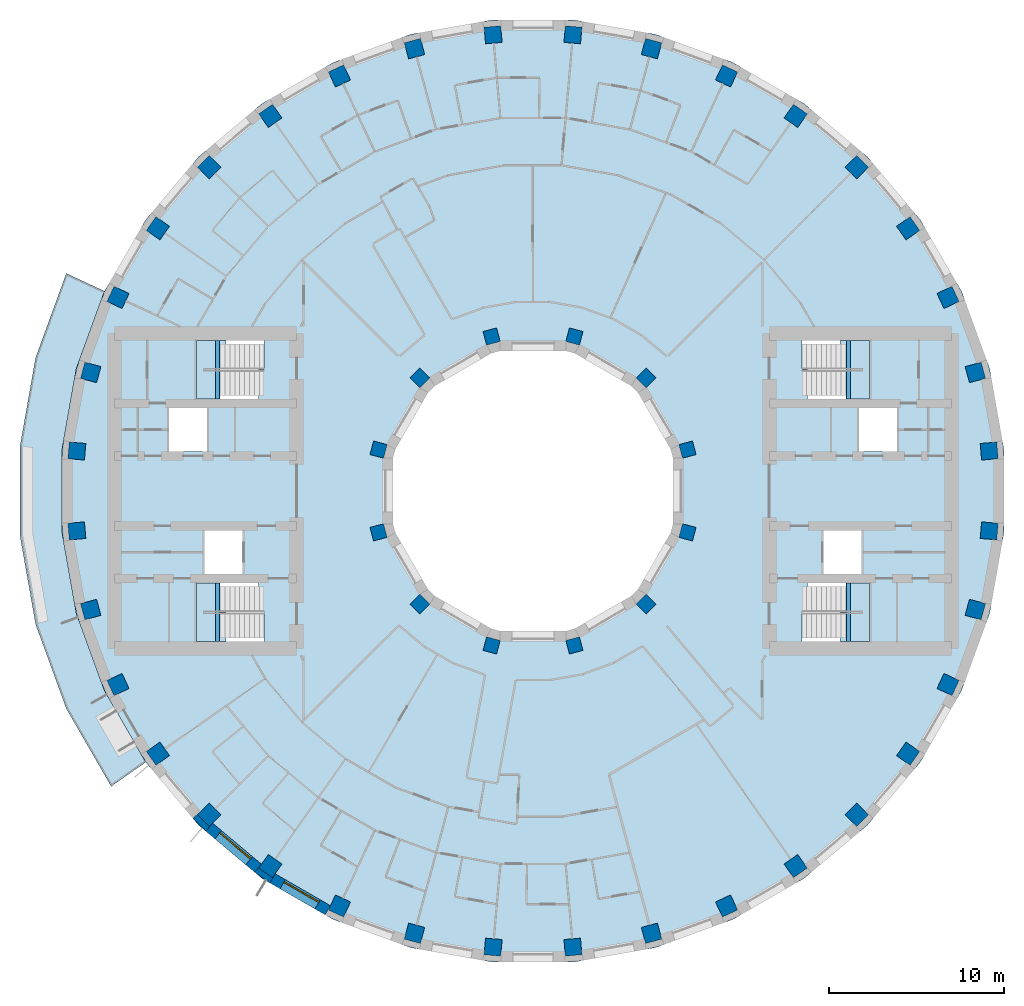
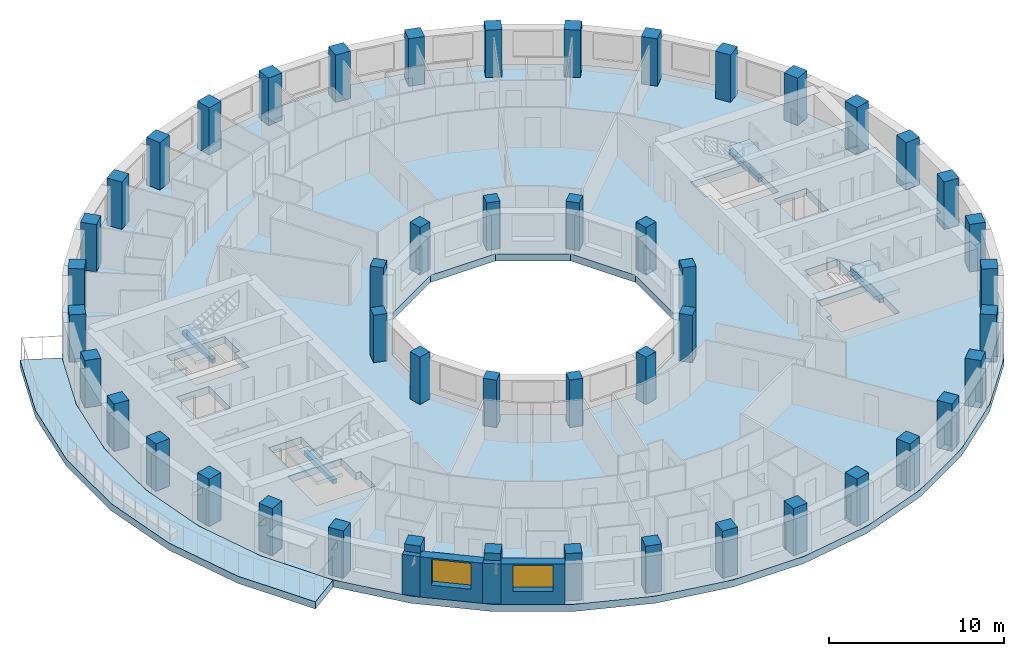
# One storey, part 1 of 13: 48 columns, 6 slabs, 4 beams, 4 walls, 2 windows, 2 openings, 4 elements without a shape of their own.
"""IFC4 building model written with IfcOpenShell, lengths in metres."""

from ifc_helpers import new_model, si_unit, direction, frame, frame_2d, origin, origin_2d, place, context, subcontext, project, spatial, polyline, rectangle, outline, extrude, material, layer, layer_set, material_profile, profile_set, type_object, element, fill, aggregate, save


model = new_model("IFC4")

# Units and contexts
model_context = context("Model", 3, precision=1e-05, world=origin(), true_north=direction((0.0, 1.0)))
body_context = subcontext(model_context, "Body", "Model", "MODEL_VIEW")
ifc_project = project(units=[si_unit("LENGTHUNIT", "METRE"), si_unit("AREAUNIT", "SQUARE_METRE"), si_unit("VOLUMEUNIT", "CUBIC_METRE"), si_unit("PLANEANGLEUNIT", "RADIAN"), si_unit("MASSUNIT", "GRAM", prefix="KILO")], contexts=[model_context])

# Site, building, storey
site_placement = place(None, origin())
site = spatial("IfcSite", under=ifc_project, at=site_placement, CompositionType="ELEMENT")
building_placement = place(site_placement, origin())
building = spatial("IfcBuilding", under=site, at=building_placement, Name="Saqina Gate Tower", CompositionType="ELEMENT")
storey_placement = place(building_placement, frame((0.0, 0.0, 118.300048828125)))
storey = spatial("IfcBuildingStorey", under=building, at=storey_placement, Name="L33", CompositionType="ELEMENT", Elevation=118.300048828125)

# Columns
ifc_material_1 = material(Name="Concrete C70/85", Category="concrete")
ifc_material_profile_1 = material_profile(ifc_material_1, rectangle(XDim=0.800048828125, YDim=0.800048828125, at=origin_2d()), Name="RC 800x800")
ifc_profile_set_1 = profile_set([ifc_material_profile_1], Name="Concrete C70/85")
column_type_1 = type_object("IfcColumnType", Name="STR-COL-IN-B", PredefinedType="COLUMN", material=ifc_profile_set_1)
for number, where, z_axis, x_axis, name in (
    (1, (8.821044921875, 2.363525390625, 0.0), (0.0, 0.0, 1.0), (0.965925826289, 0.258819045103, 0.0), "L33-ICL01"),
    (2, (6.45751953125, 6.45751953125, 0.0), (0.0, 0.0, 1.0), (0.707106781187, 0.707106781187, 0.0), "L33-ICL02"),
    (3, (2.363525390625, 8.821044921875, 0.0), (0.0, 0.0, 1.0), (0.258819045103, 0.965925826289, 0.0), "L33-ICL03"),
    (4, (-2.363525390625, 8.821044921875, 0.0), (0.0, 0.0, 1.0), (-0.258819045103, 0.965925826289, 0.0), "L33-ICL04"),
    (5, (-6.45751953125, 6.45751953125, 0.0), (0.0, 0.0, 1.0), (-0.707106781187, 0.707106781187, 0.0), "L33-ICL05"),
    (6, (-8.821044921875, 2.363525390625, 0.0), (0.0, 0.0, 1.0), (-0.965925826289, 0.258819045103, 0.0), "L33-ICL06"),
    (7, (-8.821044921875, -2.363525390625, 0.0), (0.0, 0.0, 1.0), (-0.965925826289, -0.258819045103, 0.0), "L33-ICL07"),
    (8, (-6.45751953125, -6.45751953125, 0.0), (0.0, 0.0, 1.0), (-0.707106781187, -0.707106781187, 0.0), "L33-ICL08"),
    (9, (-2.363525390625, -8.821044921875, 0.0), (0.0, 0.0, 1.0), (-0.258819045103, -0.965925826289, 0.0), "L33-ICL09"),
    (10, (2.363525390625, -8.821044921875, 0.0), (0.0, 0.0, 1.0), (0.258819045103, -0.965925826289, 0.0), "L33-ICL10"),
    (11, (6.45751953125, -6.45751953125, 0.0), (0.0, 0.0, 1.0), (0.707106781187, -0.707106781187, 0.0), "L33-ICL11"),
    (12, (8.821044921875, -2.363525390625, 0.0), (0.0, 0.0, 1.0), (0.965925826289, -0.258819045103, 0.0), "L33-ICL12"),
):
    element("IfcColumn", number, at=place(storey_placement, frame(where, z_axis=z_axis, x_axis=x_axis)), inside=storey, type_object=column_type_1, Name=name, PredefinedType="COLUMN", context=body_context, shape_type="SweptSolid", body=[
        extrude(rectangle(XDim=0.800048828125, YDim=0.800048828125, at=origin_2d()), origin(), (0.0, 0.0, 1.0), 3.300048828125),
    ])
ifc_material_2 = material(Name="Concrete C70/85", Category="concrete")
ifc_material_profile_2 = material_profile(ifc_material_2, rectangle(XDim=0.949951171875, YDim=0.949951171875, at=origin_2d()), Name="RC 950x950")
ifc_profile_set_2 = profile_set([ifc_material_profile_2], Name="Concrete C70/85")
column_type_2 = type_object("IfcColumnType", Name="STR-COL-OUT-B", PredefinedType="COLUMN", material=ifc_profile_set_2)
for number, where, z_axis, x_axis, name in (
    (13, (26.050537109375, 2.279052734375, 0.0), (0.0, 0.0, 1.0), (0.996194698092, 0.087155742748, 0.0), "L33-COL01"),
    (14, (25.259033203125, 6.76806640625, 0.0), (0.0, 0.0, 1.0), (0.965925826289, 0.258819045103, 0.0), "L33-COL02"),
    (15, (23.699951171875, 11.051513671875, 0.0), (0.0, 0.0, 1.0), (0.906307787037, 0.422618261741, 0.0), "L33-COL03"),
    (16, (21.4208984375, 14.9990234375, 0.0), (0.0, 0.0, 1.0), (0.819152044289, 0.573576436351, 0.0), "L33-COL04"),
    (17, (18.49072265625, 18.49072265625, 0.0), (0.0, 0.0, 1.0), (0.707106781187, 0.707106781187, 0.0), "L33-COL05"),
    (18, (14.9990234375, 21.4208984375, 0.0), (0.0, 0.0, 1.0), (0.573576436351, 0.819152044289, 0.0), "L33-COL06"),
    (19, (11.051513671875, 23.699951171875, 0.0), (0.0, 0.0, 1.0), (0.422618261741, 0.906307787037, 0.0), "L33-COL07"),
    (20, (6.76806640625, 25.259033203125, 0.0), (0.0, 0.0, 1.0), (0.258819045103, 0.965925826289, 0.0), "L33-COL08"),
    (21, (2.279052734375, 26.050537109375, 0.0), (0.0, 0.0, 1.0), (0.087155742748, 0.996194698092, 0.0), "L33-COL09"),
    (22, (-2.279052734375, 26.050537109375, 0.0), (0.0, 0.0, 1.0), (-0.087155742748, 0.996194698092, 0.0), "L33-COL10"),
    (23, (-6.76806640625, 25.259033203125, 0.0), (0.0, 0.0, 1.0), (-0.258819045103, 0.965925826289, 0.0), "L33-COL11"),
    (24, (-11.051513671875, 23.699951171875, 0.0), (0.0, 0.0, 1.0), (-0.422618261741, 0.906307787037, 0.0), "L33-COL12"),
    (25, (-14.9990234375, 21.4208984375, 0.0), (0.0, 0.0, 1.0), (-0.573576436351, 0.819152044289, 0.0), "L33-COL13"),
    (26, (-18.49072265625, 18.49072265625, 0.0), (0.0, 0.0, 1.0), (-0.707106781187, 0.707106781187, 0.0), "L33-COL14"),
    (27, (-21.4208984375, 14.9990234375, 0.0), (0.0, 0.0, 1.0), (-0.819152044289, 0.573576436351, 0.0), "L33-COL15"),
    (28, (-23.699951171875, 11.051513671875, 0.0), (0.0, 0.0, 1.0), (-0.906307787037, 0.422618261741, 0.0), "L33-COL16"),
    (29, (-25.259033203125, 6.76806640625, 0.0), (0.0, 0.0, 1.0), (-0.965925826289, 0.258819045103, 0.0), "L33-COL17"),
    (30, (-26.050537109375, 2.279052734375, 0.0), (0.0, 0.0, 1.0), (-0.996194698092, 0.087155742748, 0.0), "L33-COL18"),
    (31, (-26.050537109375, -2.279052734375, 0.0), (0.0, 0.0, 1.0), (-0.996194698092, -0.087155742748, 0.0), "L33-COL19"),
    (32, (-25.259033203125, -6.76806640625, 0.0), (0.0, 0.0, 1.0), (-0.965925826289, -0.258819045103, 0.0), "L33-COL20"),
    (33, (-23.699951171875, -11.051513671875, 0.0), (0.0, 0.0, 1.0), (-0.906307787037, -0.422618261741, 0.0), "L33-COL21"),
    (34, (-21.4208984375, -14.9990234375, 0.0), (0.0, 0.0, 1.0), (-0.819152044289, -0.573576436351, 0.0), "L33-COL22"),
    (35, (-18.49072265625, -18.49072265625, 0.0), (0.0, 0.0, 1.0), (-0.707106781187, -0.707106781187, 0.0), "L33-COL23"),
    (36, (-14.9990234375, -21.4208984375, 0.0), (0.0, 0.0, 1.0), (-0.573576436351, -0.819152044289, 0.0), "L33-COL24"),
    (37, (-11.051513671875, -23.699951171875, 0.0), (0.0, 0.0, 1.0), (-0.422618261741, -0.906307787037, 0.0), "L33-COL25"),
    (38, (-6.76806640625, -25.259033203125, 0.0), (0.0, 0.0, 1.0), (-0.258819045103, -0.965925826289, 0.0), "L33-COL26"),
    (39, (-2.279052734375, -26.050537109375, 0.0), (0.0, 0.0, 1.0), (-0.087155742748, -0.996194698092, 0.0), "L33-COL27"),
    (40, (2.279052734375, -26.050537109375, 0.0), (0.0, 0.0, 1.0), (0.087155742748, -0.996194698092, 0.0), "L33-COL28"),
    (41, (6.76806640625, -25.259033203125, 0.0), (0.0, 0.0, 1.0), (0.258819045103, -0.965925826289, 0.0), "L33-COL29"),
    (42, (11.051513671875, -23.699951171875, 0.0), (0.0, 0.0, 1.0), (0.422618261741, -0.906307787037, 0.0), "L33-COL30"),
    (43, (14.9990234375, -21.4208984375, 0.0), (0.0, 0.0, 1.0), (0.573576436351, -0.819152044289, 0.0), "L33-COL31"),
    (44, (18.49072265625, -18.49072265625, 0.0), (0.0, 0.0, 1.0), (0.707106781187, -0.707106781187, 0.0), "L33-COL32"),
    (45, (21.4208984375, -14.9990234375, 0.0), (0.0, 0.0, 1.0), (0.819152044289, -0.573576436351, 0.0), "L33-COL33"),
    (46, (23.699951171875, -11.051513671875, 0.0), (0.0, 0.0, 1.0), (0.906307787037, -0.422618261741, 0.0), "L33-COL34"),
    (47, (25.259033203125, -6.76806640625, 0.0), (0.0, 0.0, 1.0), (0.965925826289, -0.258819045103, 0.0), "L33-COL35"),
    (48, (26.050537109375, -2.279052734375, 0.0), (0.0, 0.0, 1.0), (0.996194698092, -0.087155742748, 0.0), "L33-COL36"),
):
    element("IfcColumn", number, at=place(storey_placement, frame(where, z_axis=z_axis, x_axis=x_axis)), inside=storey, type_object=column_type_2, Name=name, PredefinedType="COLUMN", context=body_context, shape_type="SweptSolid", body=[
        extrude(rectangle(XDim=0.949951171875, YDim=0.949951171875, at=origin_2d()), origin(), (0.0, 0.0, 1.0), 3.300048828125),
    ])

# Beams
ifc_material_3 = material(Name="Concrete C40/50", Category="concrete")
ifc_material_profile_3 = material_profile(ifc_material_3, rectangle(XDim=0.25, YDim=0.300048828125, at=origin_2d()), Name="STAIR LANDING BEAM")
ifc_profile_set_3 = profile_set([ifc_material_profile_3], Name="Concrete C40/50")
beam_type = type_object("IfcBeamType", Name="STAIR LANDING BEAM", PredefinedType="BEAM", material=ifc_profile_set_3)
for number, where, z_axis, x_axis, name in (
    (49, (18.02001953125, 5.25, 1.25), (0.0, 1.0, 0.0), (-1.0, 0.0, 0.0), "EXIT STAIR 1 LANDING BEAM"),
    (50, (18.02001953125, -8.60009765625, 1.25), (0.0, 1.0, 0.0), (-1.0, 0.0, 0.0), "EXIT STAIR 2 LANDING BEAM"),
    (51, (-18.02001953125, 5.25, 1.25), (0.0, 1.0, 0.0), (-1.0, 0.0, 0.0), "EXIT STAIR 3 LANDING BEAM"),
    (52, (-18.02001953125, -8.60009765625, 1.25), (0.0, 1.0, 0.0), (-1.0, 0.0, 0.0), "EXIT STAIR 4 LANDING BEAM"),
):
    element("IfcBeam", number, at=place(storey_placement, frame(where, z_axis=z_axis, x_axis=x_axis)), inside=storey, type_object=beam_type, Name=name, PredefinedType="BEAM", context=body_context, shape_type="SweptSolid", body=[
        extrude(rectangle(XDim=0.25, YDim=0.300048828125, at=origin_2d()), origin(), (0.0, 0.0, 1.0), 3.35009765625),
    ])

# Stair, slab
ifc_material_4 = material(Name="Concrete C40/50", Category="concrete")
stair_type = type_object("IfcStairType", Name="EXIT STAIR", PredefinedType="HALF_TURN_STAIR", material=ifc_material_4)
stair_1_placement = place(storey_placement, origin())
stair_1 = element("IfcStair", 53, at=stair_1_placement, inside=storey, type_object=stair_type, Name="EXIT STAIR 1", PredefinedType="HALF_TURN_STAIR")
ifc_material_5 = material(Name="Concrete C40/50", Category="concrete")
ifc_layer_1 = layer(ifc_material_5, 0.25)
ifc_layer_set_1 = layer_set([ifc_layer_1], Name="Concrete C40/50")
slab_type_1 = type_object("IfcSlabType", Name="EXIT STAIR LANDING", PredefinedType="LANDING", material=ifc_layer_set_1)
slab_1_placement = place(storey_placement, frame((0.0, 0.0, 1.39990234375)))
slab_1 = element("IfcSlab", 54, at=slab_1_placement, type_object=slab_type_1, Name="EXIT STAIR 1 LANDING 1", PredefinedType="LANDING", context=body_context, shape_type="SweptSolid", body=[
    extrude(outline(polyline([(19.219970703125, 8.60009765625), (19.219970703125, 5.25), (17.864990234375, 5.25), (17.864990234375, 6.925048828125), (17.534423828125, 6.925048828125), (17.534423828125, 8.60009765625), (17.864990234375, 8.60009765625), (17.8701171875, 8.60009765625), (19.219970703125, 8.60009765625)])), origin(), (0.0, 0.0, 1.0), 0.25),
])
aggregate(stair_1, [slab_1])

stair_2_placement = place(storey_placement, origin())
stair_2 = element("IfcStair", 55, at=stair_2_placement, inside=storey, type_object=stair_type, Name="EXIT STAIR 2", PredefinedType="HALF_TURN_STAIR")
slab_2_placement = place(storey_placement, frame((0.0, 0.0, 1.39990234375)))
slab_2 = element("IfcSlab", 56, at=slab_2_placement, type_object=slab_type_1, Name="EXIT STAIR 2 LANDING 1", PredefinedType="LANDING", context=body_context, shape_type="SweptSolid", body=[
    extrude(outline(polyline([(17.534423828125, -8.60009765625), (17.534423828125, -6.925048828125), (17.864990234375, -6.925048828125), (17.864990234375, -5.25), (19.219970703125, -5.25), (19.219970703125, -8.60009765625), (17.8701171875, -8.60009765625), (17.864990234375, -8.60009765625), (17.534423828125, -8.60009765625)])), origin(), (0.0, 0.0, 1.0), 0.25),
])
aggregate(stair_2, [slab_2])

stair_3_placement = place(storey_placement, origin())
stair_3 = element("IfcStair", 57, at=stair_3_placement, inside=storey, type_object=stair_type, Name="EXIT STAIR 3", PredefinedType="HALF_TURN_STAIR")
slab_3_placement = place(storey_placement, frame((0.0, 0.0, 1.39990234375)))
slab_3 = element("IfcSlab", 58, at=slab_3_placement, type_object=slab_type_1, Name="EXIT STAIR 3 LANDING 1", PredefinedType="LANDING", context=body_context, shape_type="SweptSolid", body=[
    extrude(outline(polyline([(-17.864990234375, 5.25), (-19.219970703125, 5.25), (-19.219970703125, 8.60009765625), (-17.8701171875, 8.60009765625), (-17.864990234375, 8.60009765625), (-17.534423828125, 8.60009765625), (-17.534423828125, 6.925048828125), (-17.864990234375, 6.925048828125), (-17.864990234375, 5.25)])), origin(), (0.0, 0.0, 1.0), 0.25),
])
aggregate(stair_3, [slab_3])

stair_4_placement = place(storey_placement, origin())
stair_4 = element("IfcStair", 59, at=stair_4_placement, inside=storey, type_object=stair_type, Name="EXIT STAIR 4", PredefinedType="HALF_TURN_STAIR")
slab_4_placement = place(storey_placement, frame((0.0, 0.0, 1.39990234375)))
slab_4 = element("IfcSlab", 60, at=slab_4_placement, type_object=slab_type_1, Name="EXIT STAIR 4 LANDING 1", PredefinedType="LANDING", context=body_context, shape_type="SweptSolid", body=[
    extrude(outline(polyline([(-17.534423828125, -6.925048828125), (-17.534423828125, -8.60009765625), (-17.864990234375, -8.60009765625), (-17.8701171875, -8.60009765625), (-19.219970703125, -8.60009765625), (-19.219970703125, -5.25), (-17.864990234375, -5.25), (-17.864990234375, -6.925048828125), (-17.534423828125, -6.925048828125)])), origin(), (0.0, 0.0, 1.0), 0.25),
])
aggregate(stair_4, [slab_4])

# Slabs
ifc_material_6 = material(Name="Concrete C40/50", Category="concrete")
ifc_layer_2 = layer(ifc_material_6, 0.5)
ifc_layer_set_2 = layer_set([ifc_layer_2], Name="Concrete C40/50")
slab_type_2 = type_object("IfcSlabType", Name="STR-POST-TENSIONED FLAT PLATE FLOOR-500", PredefinedType="FLOOR", material=ifc_layer_set_2)
slab_5_placement = place(storey_placement, frame((0.0, 0.0, -0.5)))
element("IfcSlab", 61, at=slab_5_placement, inside=storey, type_object=slab_type_2, Name="L33-SLB01", PredefinedType="FLOOR", context=body_context, shape_type="SweptSolid", body=[
    extrude(outline(polyline([(26.080078125, -6.988037109375), (26.897216796875, -2.353271484375), (26.897216796875, 2.353271484375), (26.080078125, 6.988037109375), (24.47021484375, 11.41064453125), (22.1171875, 15.486572265625), (19.091796875, 19.091796875), (15.486572265625, 22.1171875), (11.41064453125, 24.47021484375), (6.988037109375, 26.080078125), (2.353271484375, 26.897216796875), (-2.353271484375, 26.897216796875), (-6.988037109375, 26.080078125), (-11.41064453125, 24.47021484375), (-15.486572265625, 22.1171875), (-19.091796875, 19.091796875), (-22.1171875, 15.486572265625), (-24.47021484375, 11.41064453125), (-26.080078125, 6.988037109375), (-26.897216796875, 2.353271484375), (-26.897216796875, -2.353271484375), (-26.080078125, -6.988037109375), (-24.47021484375, -11.41064453125), (-22.1171875, -15.486572265625), (-19.091796875, -19.091796875), (-15.486572265625, -22.1171875), (-11.41064453125, -24.47021484375), (-6.988037109375, -26.080078125), (-2.353271484375, -26.897216796875), (2.353271484375, -26.897216796875), (6.988037109375, -26.080078125), (11.41064453125, -24.47021484375), (15.486572265625, -22.1171875), (19.091796875, -19.091796875), (22.1171875, -15.486572265625), (24.47021484375, -11.41064453125), (26.080078125, -6.988037109375)]), holes=[polyline([(2.1435546875, 8.0), (5.8564453125, 5.8564453125), (8.0, 2.1435546875), (8.0, -2.1435546875), (5.8564453125, -5.8564453125), (2.1435546875, -8.0), (-2.1435546875, -8.0), (-5.8564453125, -5.8564453125), (-8.0, -2.1435546875), (-8.0, 2.1435546875), (-5.8564453125, 5.8564453125), (-2.1435546875, 8.0), (2.1435546875, 8.0)]), polyline([(-15.35498046875, -8.60009765625), (-19.219970703125, -8.60009765625), (-19.219970703125, -6.925048828125), (-19.219970703125, -5.25), (-15.685546875, -5.25), (-15.685546875, -6.925048828125), (-15.35498046875, -6.925048828125), (-15.35498046875, -8.60009765625)]), polyline([(-16.590087890625, -2.25), (-16.590087890625, -4.75), (-18.75, -4.75), (-18.75, -2.25), (-16.590087890625, -2.25)]), polyline([(-20.780029296875, 4.75), (-18.6201171875, 4.75), (-18.6201171875, 2.25), (-20.780029296875, 2.25), (-20.780029296875, 4.75)]), polyline([(-19.219970703125, 6.925048828125), (-19.219970703125, 8.60009765625), (-15.35498046875, 8.60009765625), (-15.35498046875, 6.925048828125), (-15.685546875, 6.925048828125), (-15.685546875, 5.25), (-19.219970703125, 5.25), (-19.219970703125, 6.925048828125)]), polyline([(15.35498046875, -8.60009765625), (15.35498046875, -6.925048828125), (15.685546875, -6.925048828125), (15.685546875, -5.25), (19.219970703125, -5.25), (19.219970703125, -6.925048828125), (19.219970703125, -8.60009765625), (15.35498046875, -8.60009765625)]), polyline([(18.75, -2.25), (18.75, -4.75), (16.590087890625, -4.75), (16.590087890625, -2.25), (18.75, -2.25)]), polyline([(18.6201171875, 4.75), (20.780029296875, 4.75), (20.780029296875, 2.25), (18.6201171875, 2.25), (18.6201171875, 4.75)]), polyline([(15.685546875, 6.925048828125), (15.35498046875, 6.925048828125), (15.35498046875, 8.60009765625), (19.219970703125, 8.60009765625), (19.219970703125, 6.925048828125), (19.219970703125, 5.25), (15.685546875, 5.25), (15.685546875, 6.925048828125)])]), origin(), (0.0, 0.0, 1.0), 0.5),
])
ifc_material_7 = material(Name="Concrete C40/50", Category="concrete")
ifc_layer_3 = layer(ifc_material_7, 0.5)
ifc_layer_set_3 = layer_set([ifc_layer_3], Name="Concrete C40/50")
slab_type_3 = type_object("IfcSlabType", Name="STR-POST-TENSIONED FLAT PLATE TERRACE-500", PredefinedType="FLOOR", material=ifc_layer_set_3)
slab_6_placement = place(storey_placement, frame((0.0, 0.0, -0.5)))
element("IfcSlab", 62, at=slab_6_placement, inside=storey, type_object=slab_type_3, Name="L33-TRS01", PredefinedType="FLOOR", context=body_context, shape_type="SweptSolid", body=[
    extrude(outline(polyline([(-24.47021484375, 11.41064453125), (-26.080078125, 6.988037109375), (-26.897216796875, 2.353271484375), (-26.897216796875, -2.353271484375), (-26.080078125, -6.988037109375), (-24.47021484375, -11.41064453125), (-22.1171875, -15.486572265625), (-24.090576171875, -16.868408203125), (-26.65380859375, -12.428955078125), (-28.406982421875, -7.611572265625), (-29.29736328125, -2.563232421875), (-29.29736328125, 2.563232421875), (-28.406982421875, 7.611572265625), (-26.65380859375, 12.428955078125), (-24.47021484375, 11.41064453125)])), origin(), (0.0, 0.0, 1.0), 0.5),
])

# Walls
ifc_material_8 = material(Name="Brick masonry (buff)", Category="masonry")
wall_type_1 = type_object("IfcWallType", Name="BRICK PIER COPING BUFF", PredefinedType="SOLIDWALL", material=ifc_material_8)
wall_1_placement = place(storey_placement, origin())
element("IfcWall", 63, at=wall_1_placement, inside=storey, type_object=wall_type_1, Name="Pier cap L33 column 23", PredefinedType="SOLIDWALL", context=body_context, shape_type="SweptSolid", body=[
    extrude(outline(polyline([(-19.43212890625, -18.686279296875), (-18.686279296875, -19.43212890625), (-18.30078125, -18.972412109375), (-18.49072265625, -19.16259765625), (-19.16259765625, -18.49072265625), (-18.972412109375, -18.30078125), (-19.43212890625, -18.686279296875)])), origin(), (0.0, 0.0, 1.0), 2.800048828125),
])
wall_2_placement = place(storey_placement, origin())
element("IfcWall", 64, at=wall_2_placement, inside=storey, type_object=wall_type_1, Name="Pier cap L33 column 24", PredefinedType="SOLIDWALL", context=body_context, shape_type="SweptSolid", body=[
    extrude(outline(polyline([(-15.0283203125, -22.3818359375), (-14.728271484375, -21.862060546875), (-14.88232421875, -22.08251953125), (-15.66064453125, -21.53759765625), (-15.50634765625, -21.317138671875), (-15.89208984375, -21.77685546875), (-15.0283203125, -22.3818359375)])), origin(), (0.0, 0.0, 1.0), 2.800048828125),
])

# Wall, opening, window
ifc_material_9 = material(Name="Brick masonry (buff)", Category="masonry")
ifc_layer_4 = layer(ifc_material_9, 0.60009765625)
ifc_layer_set_4 = layer_set([ifc_layer_4], Name="FW-BRICK-BUFF")
wall_type_2 = type_object("IfcWallType", Name="FW-BRICK-BUFF", PredefinedType="SOLIDWALL", material=ifc_layer_set_4)
wall_3_placement = place(storey_placement, frame((-18.49365234375, -19.202392578125, 0.0), z_axis=(0.0, 0.0, 1.0), x_axis=(0.766055462616, -0.642774476932, 0.0)))
wall_3 = element("IfcWall", 65, at=wall_3_placement, inside=storey, type_object=wall_type_2, Name="Facade wall L33 facet 23", PredefinedType="SOLIDWALL", context=body_context, shape_type="SweptSolid", body=[
    extrude(rectangle(XDim=3.647705078125, YDim=0.60009765625, at=frame_2d((1.82373046875, 0.0))), origin(), (0.0, 0.0, 1.0), 2.800048828125),
])
opening_1_placement = place(wall_3_placement, frame((0.673828125, 0.0, 0.89990234375)))
opening_1 = element("IfcOpeningElement", 66, at=opening_1_placement, cuts=wall_3, Name="Opening G09-W15", PredefinedType="OPENING", context=body_context, shape_type="SweptSolid", body=[
    extrude(rectangle(XDim=2.300048828125, YDim=1.800048828125, at=frame_2d((1.14990234375, 0.89990234375))), frame((0.0, 0.31201171875, 0.0), z_axis=(0.0, -1.0, 0.0), x_axis=(1.0, 0.0, 0.0)), (0.0, 0.0, 1.0), 0.6240234375),
])
ifc_material_10 = material(Name="Aluminium glazing", Category="aluminium")
window_type = type_object("IfcWindowType", Name="WN-B", PartitioningType="SINGLE_PANEL", PredefinedType="WINDOW", material=ifc_material_10)
window_1_placement = place(opening_1_placement, origin())
window_1 = element("IfcWindow", 67, at=window_1_placement, inside=storey, type_object=window_type, Name="Window L33 facet 23", OverallHeight=1.800048828125, OverallWidth=2.300048828125, PartitioningType="SINGLE_PANEL", PredefinedType="WINDOW", context=body_context, shape_type="SweptSolid", body=[
    extrude(rectangle(XDim=2.300048828125, YDim=1.800048828125, at=frame_2d((1.14990234375, 0.89990234375))), frame((0.0, 0.179931640625, 0.0), z_axis=(0.0, -1.0, 0.0), x_axis=(1.0, 0.0, 0.0)), (0.0, 0.0, 1.0), 0.06005859375),
])
fill(opening_1, window_1)

wall_4_placement = place(storey_placement, frame((-14.878173828125, -22.1220703125, 0.0), z_axis=(0.0, 0.0, 1.0), x_axis=(0.866051847062, -0.499954196102, 0.0)))
wall_4 = element("IfcWall", 68, at=wall_4_placement, inside=storey, type_object=wall_type_2, Name="Facade wall L33 facet 24", PredefinedType="SOLIDWALL", context=body_context, shape_type="SweptSolid", body=[
    extrude(rectangle(XDim=3.647705078125, YDim=0.60009765625, at=frame_2d((1.82373046875, 0.0))), origin(), (0.0, 0.0, 1.0), 2.800048828125),
])
opening_2_placement = place(wall_4_placement, frame((0.673828125, 0.0, 0.89990234375)))
opening_2 = element("IfcOpeningElement", 69, at=opening_2_placement, cuts=wall_4, Name="Opening G09-W16", PredefinedType="OPENING", context=body_context, shape_type="SweptSolid", body=[
    extrude(rectangle(XDim=2.300048828125, YDim=1.800048828125, at=frame_2d((1.14990234375, 0.89990234375))), frame((0.0, 0.31201171875, 0.0), z_axis=(0.0, -1.0, 0.0), x_axis=(1.0, 0.0, 0.0)), (0.0, 0.0, 1.0), 0.6240234375),
])
window_2_placement = place(opening_2_placement, origin())
window_2 = element("IfcWindow", 70, at=window_2_placement, inside=storey, type_object=window_type, Name="Window L33 facet 24", OverallHeight=1.800048828125, OverallWidth=2.300048828125, PartitioningType="SINGLE_PANEL", PredefinedType="WINDOW", context=body_context, shape_type="SweptSolid", body=[
    extrude(rectangle(XDim=2.300048828125, YDim=1.800048828125, at=frame_2d((1.14990234375, 0.89990234375))), frame((0.0, 0.179931640625, 0.0), z_axis=(0.0, -1.0, 0.0), x_axis=(1.0, 0.0, 0.0)), (0.0, 0.0, 1.0), 0.06005859375),
])
fill(opening_2, window_2)

save(model, "model.ifc")
